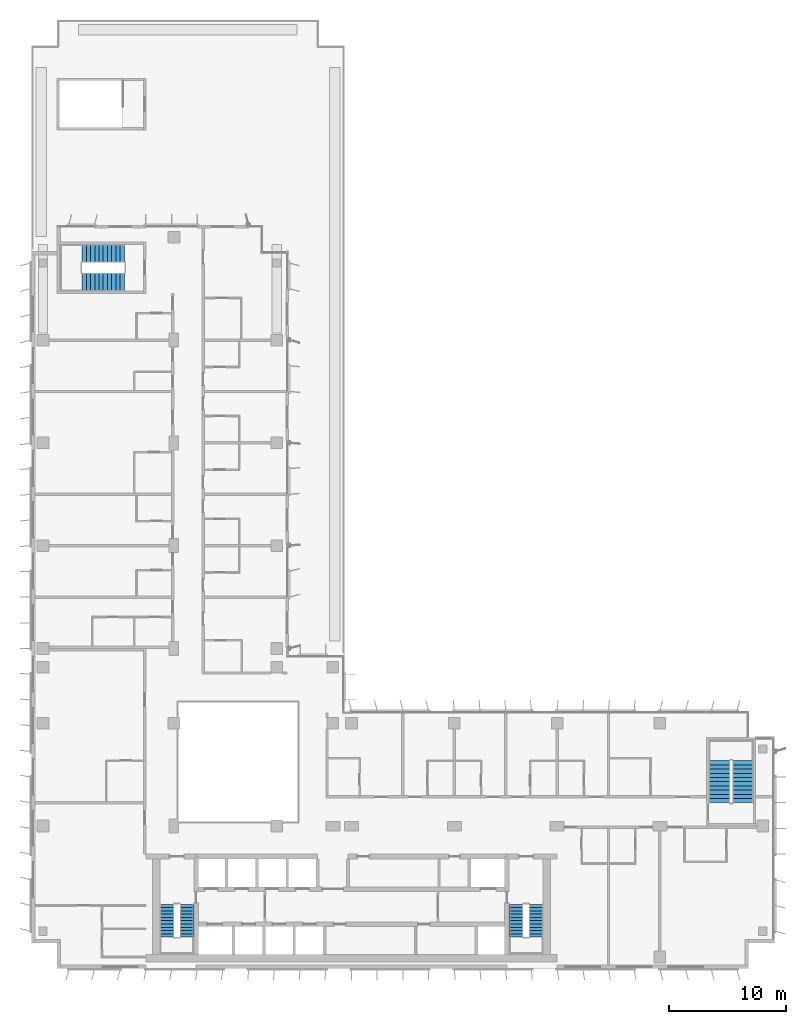
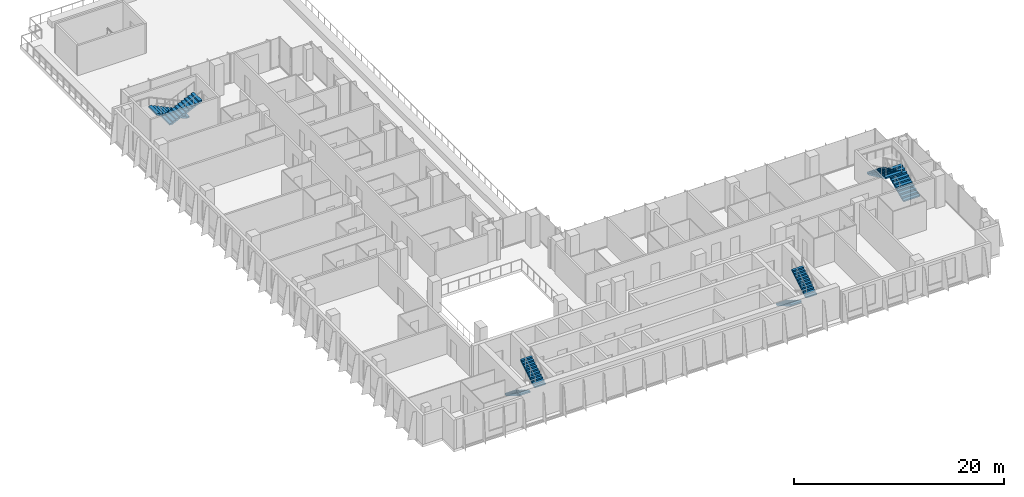
# One storey, part 18 of 22: 8 stair flights, 4 elements without a shape of their own.
"""IFC4 building model written with IfcOpenShell, lengths in metres."""

from ifc_helpers import new_model, si_unit, direction, frame, origin, place, context, subcontext, project, spatial, polyline, outline, extrude, material, type_object, element, aggregate, save


model = new_model("IFC4")

# Units and contexts
model_context = context("Model", 3, precision=1e-05, world=origin(), true_north=direction((0.0, 1.0)))
body_context = subcontext(model_context, "Body", "Model", "MODEL_VIEW")
ifc_project = project(units=[si_unit("LENGTHUNIT", "METRE"), si_unit("AREAUNIT", "SQUARE_METRE"), si_unit("VOLUMEUNIT", "CUBIC_METRE"), si_unit("PLANEANGLEUNIT", "RADIAN"), si_unit("MASSUNIT", "GRAM", prefix="KILO")], contexts=[model_context])

# Site, building, storey
site_placement = place(None, origin())
site = spatial("IfcSite", under=ifc_project, at=site_placement, CompositionType="ELEMENT")
building_placement = place(site_placement, origin())
building = spatial("IfcBuilding", under=site, at=building_placement, Name="Kemantara Hotel Tower", CompositionType="ELEMENT")
storey_placement = place(building_placement, frame((0.0, 0.0, 153.10009765625)))
storey = spatial("IfcBuildingStorey", under=building, at=storey_placement, Name="L37", CompositionType="ELEMENT", Elevation=153.10009765625)

# Stair, stair flights
ifc_material = material(Name="Concrete fc 40 MPa", Category="concrete")
stair_type_1 = type_object("IfcStairType", Name="Stair 1200 wide 22 risers of 168 x 280 mm", PredefinedType="HALF_TURN_STAIR", material=ifc_material)
stair_1_placement = place(storey_placement, origin())
stair_1 = element("IfcStair", 1, at=stair_1_placement, inside=storey, type_object=stair_type_1, Name="L37 Exit stair ST1", PredefinedType="HALF_TURN_STAIR")
stair_flight_type_1 = type_object("IfcStairFlightType", Name="Stair flight 1200 wide 168 x 280 mm", PredefinedType="STRAIGHT", material=ifc_material)
stair_flight_1_placement = place(storey_placement, frame((11.60009765625, 5.5, 0.0), z_axis=(0.0, 0.0, 1.0), x_axis=(0.0, -1.0, 0.0)))
stair_flight_1 = element("IfcStairFlight", 2, at=stair_flight_1_placement, type_object=stair_flight_type_1, Name="ST1 flight 1", NumberOfRisers=11, NumberOfTreads=10, PredefinedType="STRAIGHT", RiserHeight=0.168181818, TreadLength=0.28, context=body_context, shape_type="SweptSolid", body=[
    extrude(outline(polyline([(0.0, 0.0), (0.0, 0.168212890625), (0.280029296875, 0.168212890625), (0.280029296875, 0.33642578125), (0.56005859375, 0.33642578125), (0.56005859375, 0.504638671875), (0.840087890625, 0.504638671875), (0.840087890625, 0.672607421875), (1.1201171875, 0.672607421875), (1.1201171875, 0.8408203125), (1.39990234375, 0.8408203125), (1.39990234375, 1.009033203125), (1.679931640625, 1.009033203125), (1.679931640625, 1.17724609375), (1.9599609375, 1.17724609375), (1.9599609375, 1.345458984375), (2.239990234375, 1.345458984375), (2.239990234375, 1.513671875), (2.52001953125, 1.513671875), (2.52001953125, 1.681884765625), (2.800048828125, 1.681884765625), (2.800048828125, 1.85009765625), (2.800048828125, 1.5068359375), (0.291015625, 0.0), (0.0, 0.0)])), frame((0.0, 0.60009765625, 0.0), z_axis=(0.0, -1.0, 0.0), x_axis=(1.0, 0.0, 0.0)), (0.0, 0.0, 1.0), 1.199951171875),
])
stair_flight_2_placement = place(storey_placement, frame((13.300048828125, 2.699951171875, 1.849853515625), z_axis=(0.0, 0.0, 1.0), x_axis=(0.0, 1.0, 0.0)))
stair_flight_2 = element("IfcStairFlight", 3, at=stair_flight_2_placement, type_object=stair_flight_type_1, Name="ST1 flight 2", NumberOfRisers=11, NumberOfTreads=10, PredefinedType="STRAIGHT", RiserHeight=0.168181818, TreadLength=0.28, context=body_context, shape_type="SweptSolid", body=[
    extrude(outline(polyline([(0.0, 0.0), (0.0, 0.168212890625), (0.280029296875, 0.168212890625), (0.280029296875, 0.33642578125), (0.56005859375, 0.33642578125), (0.56005859375, 0.504638671875), (0.840087890625, 0.504638671875), (0.840087890625, 0.672607421875), (1.1201171875, 0.672607421875), (1.1201171875, 0.8408203125), (1.39990234375, 0.8408203125), (1.39990234375, 1.009033203125), (1.679931640625, 1.009033203125), (1.679931640625, 1.17724609375), (1.9599609375, 1.17724609375), (1.9599609375, 1.345458984375), (2.239990234375, 1.345458984375), (2.239990234375, 1.513671875), (2.52001953125, 1.513671875), (2.52001953125, 1.681884765625), (2.800048828125, 1.681884765625), (2.800048828125, 1.85009765625), (2.800048828125, 1.5068359375), (0.291015625, 0.0), (0.0, 0.0)])), frame((0.0, 0.60009765625, 0.0), z_axis=(0.0, -1.0, 0.0), x_axis=(1.0, 0.0, 0.0)), (0.0, 0.0, 1.0), 1.199951171875),
])
aggregate(stair_1, [stair_flight_1, stair_flight_2])

stair_2_placement = place(storey_placement, origin())
stair_2 = element("IfcStair", 4, at=stair_2_placement, inside=storey, type_object=stair_type_1, Name="L37 Exit stair ST2", PredefinedType="HALF_TURN_STAIR")
stair_flight_3_placement = place(storey_placement, frame((41.5, 5.5, 0.0), z_axis=(0.0, 0.0, 1.0), x_axis=(0.0, -1.0, 0.0)))
stair_flight_3 = element("IfcStairFlight", 5, at=stair_flight_3_placement, type_object=stair_flight_type_1, Name="ST2 flight 1", NumberOfRisers=11, NumberOfTreads=10, PredefinedType="STRAIGHT", RiserHeight=0.168181818, TreadLength=0.28, context=body_context, shape_type="SweptSolid", body=[
    extrude(outline(polyline([(0.0, 0.0), (0.0, 0.168212890625), (0.280029296875, 0.168212890625), (0.280029296875, 0.33642578125), (0.56005859375, 0.33642578125), (0.56005859375, 0.504638671875), (0.840087890625, 0.504638671875), (0.840087890625, 0.672607421875), (1.1201171875, 0.672607421875), (1.1201171875, 0.8408203125), (1.39990234375, 0.8408203125), (1.39990234375, 1.009033203125), (1.679931640625, 1.009033203125), (1.679931640625, 1.17724609375), (1.9599609375, 1.17724609375), (1.9599609375, 1.345458984375), (2.239990234375, 1.345458984375), (2.239990234375, 1.513671875), (2.52001953125, 1.513671875), (2.52001953125, 1.681884765625), (2.800048828125, 1.681884765625), (2.800048828125, 1.85009765625), (2.800048828125, 1.5068359375), (0.291015625, 0.0), (0.0, 0.0)])), frame((0.0, 0.60009765625, 0.0), z_axis=(0.0, -1.0, 0.0), x_axis=(1.0, 0.0, 0.0)), (0.0, 0.0, 1.0), 1.199951171875),
])
stair_flight_4_placement = place(storey_placement, frame((43.199951171875, 2.699951171875, 1.849853515625), z_axis=(0.0, 0.0, 1.0), x_axis=(0.0, 1.0, 0.0)))
stair_flight_4 = element("IfcStairFlight", 6, at=stair_flight_4_placement, type_object=stair_flight_type_1, Name="ST2 flight 2", NumberOfRisers=11, NumberOfTreads=10, PredefinedType="STRAIGHT", RiserHeight=0.168181818, TreadLength=0.28, context=body_context, shape_type="SweptSolid", body=[
    extrude(outline(polyline([(0.0, 0.0), (0.0, 0.168212890625), (0.280029296875, 0.168212890625), (0.280029296875, 0.33642578125), (0.56005859375, 0.33642578125), (0.56005859375, 0.504638671875), (0.840087890625, 0.504638671875), (0.840087890625, 0.672607421875), (1.1201171875, 0.672607421875), (1.1201171875, 0.8408203125), (1.39990234375, 0.8408203125), (1.39990234375, 1.009033203125), (1.679931640625, 1.009033203125), (1.679931640625, 1.17724609375), (1.9599609375, 1.17724609375), (1.9599609375, 1.345458984375), (2.239990234375, 1.345458984375), (2.239990234375, 1.513671875), (2.52001953125, 1.513671875), (2.52001953125, 1.681884765625), (2.800048828125, 1.681884765625), (2.800048828125, 1.85009765625), (2.800048828125, 1.5068359375), (0.291015625, 0.0), (0.0, 0.0)])), frame((0.0, 0.60009765625, 0.0), z_axis=(0.0, -1.0, 0.0), x_axis=(1.0, 0.0, 0.0)), (0.0, 0.0, 1.0), 1.199951171875),
])
aggregate(stair_2, [stair_flight_3, stair_flight_4])

stair_type_2 = type_object("IfcStairType", Name="Stair 1550 wide 22 risers of 168 x 360 mm", PredefinedType="HALF_TURN_STAIR", material=ifc_material)
stair_3_placement = place(storey_placement, origin())
stair_3 = element("IfcStair", 7, at=stair_3_placement, inside=storey, type_object=stair_type_2, Name="L37 Exit stair ST4", PredefinedType="HALF_TURN_STAIR")
stair_flight_type_2 = type_object("IfcStairFlightType", Name="Stair flight 1550 wide 168 x 360 mm", PredefinedType="STRAIGHT", material=ifc_material)
stair_flight_5_placement = place(storey_placement, frame((7.949951171875, 61.22509765625, 0.0), z_axis=(0.0, 0.0, 1.0), x_axis=(-1.0, 0.0, 0.0)))
stair_flight_5 = element("IfcStairFlight", 8, at=stair_flight_5_placement, type_object=stair_flight_type_2, Name="ST4 flight 1", NumberOfRisers=11, NumberOfTreads=10, PredefinedType="STRAIGHT", RiserHeight=0.168181818, TreadLength=0.36, context=body_context, shape_type="SweptSolid", body=[
    extrude(outline(polyline([(0.0, 0.0), (0.0, 0.168212890625), (0.360107421875, 0.168212890625), (0.360107421875, 0.33642578125), (0.719970703125, 0.33642578125), (0.719970703125, 0.504638671875), (1.080078125, 0.504638671875), (1.080078125, 0.672607421875), (1.43994140625, 0.672607421875), (1.43994140625, 0.8408203125), (1.800048828125, 0.8408203125), (1.800048828125, 1.009033203125), (2.159912109375, 1.009033203125), (2.159912109375, 1.17724609375), (2.52001953125, 1.17724609375), (2.52001953125, 1.345458984375), (2.8798828125, 1.345458984375), (2.8798828125, 1.513671875), (3.239990234375, 1.513671875), (3.239990234375, 1.681884765625), (3.60009765625, 1.681884765625), (3.60009765625, 1.85009765625), (3.60009765625, 1.516357421875), (0.354248046875, 0.0), (0.0, 0.0)])), frame((0.0, 0.77490234375, 0.0), z_axis=(0.0, -1.0, 0.0), x_axis=(1.0, 0.0, 0.0)), (0.0, 0.0, 1.0), 1.550048828125),
])
stair_flight_6_placement = place(storey_placement, frame((4.35009765625, 58.77490234375, 1.849853515625), z_axis=(0.0, 0.0, 1.0), x_axis=(1.0, 0.0, 0.0)))
stair_flight_6 = element("IfcStairFlight", 9, at=stair_flight_6_placement, type_object=stair_flight_type_2, Name="ST4 flight 2", NumberOfRisers=11, NumberOfTreads=10, PredefinedType="STRAIGHT", RiserHeight=0.168181818, TreadLength=0.36, context=body_context, shape_type="SweptSolid", body=[
    extrude(outline(polyline([(0.0, 0.0), (0.0, 0.168212890625), (0.360107421875, 0.168212890625), (0.360107421875, 0.33642578125), (0.719970703125, 0.33642578125), (0.719970703125, 0.504638671875), (1.080078125, 0.504638671875), (1.080078125, 0.672607421875), (1.43994140625, 0.672607421875), (1.43994140625, 0.8408203125), (1.800048828125, 0.8408203125), (1.800048828125, 1.009033203125), (2.159912109375, 1.009033203125), (2.159912109375, 1.17724609375), (2.52001953125, 1.17724609375), (2.52001953125, 1.345458984375), (2.8798828125, 1.345458984375), (2.8798828125, 1.513671875), (3.239990234375, 1.513671875), (3.239990234375, 1.681884765625), (3.60009765625, 1.681884765625), (3.60009765625, 1.85009765625), (3.60009765625, 1.516357421875), (0.354248046875, 0.0), (0.0, 0.0)])), frame((0.0, 0.77490234375, 0.0), z_axis=(0.0, -1.0, 0.0), x_axis=(1.0, 0.0, 0.0)), (0.0, 0.0, 1.0), 1.550048828125),
])
aggregate(stair_3, [stair_flight_5, stair_flight_6])

stair_type_3 = type_object("IfcStairType", Name="Stair 1800 wide 22 risers of 168 x 360 mm", PredefinedType="HALF_TURN_STAIR", material=ifc_material)
stair_4_placement = place(storey_placement, origin())
stair_4 = element("IfcStair", 10, at=stair_4_placement, inside=storey, type_object=stair_type_3, Name="L37 Exit stair ST3", PredefinedType="HALF_TURN_STAIR")
stair_flight_type_3 = type_object("IfcStairFlightType", Name="Stair flight 1800 wide 168 x 360 mm", PredefinedType="STRAIGHT", material=ifc_material)
stair_flight_7_placement = place(storey_placement, frame((60.89990234375, 14.199951171875, 0.0), z_axis=(0.0, 0.0, 1.0), x_axis=(0.0, 1.0, 0.0)))
stair_flight_7 = element("IfcStairFlight", 11, at=stair_flight_7_placement, type_object=stair_flight_type_3, Name="ST3 flight 1", NumberOfRisers=11, NumberOfTreads=10, PredefinedType="STRAIGHT", RiserHeight=0.168181818, TreadLength=0.36, context=body_context, shape_type="SweptSolid", body=[
    extrude(outline(polyline([(0.0, 0.0), (0.0, 0.168212890625), (0.360107421875, 0.168212890625), (0.360107421875, 0.33642578125), (0.719970703125, 0.33642578125), (0.719970703125, 0.504638671875), (1.080078125, 0.504638671875), (1.080078125, 0.672607421875), (1.43994140625, 0.672607421875), (1.43994140625, 0.8408203125), (1.800048828125, 0.8408203125), (1.800048828125, 1.009033203125), (2.159912109375, 1.009033203125), (2.159912109375, 1.17724609375), (2.52001953125, 1.17724609375), (2.52001953125, 1.345458984375), (2.8798828125, 1.345458984375), (2.8798828125, 1.513671875), (3.239990234375, 1.513671875), (3.239990234375, 1.681884765625), (3.60009765625, 1.681884765625), (3.60009765625, 1.85009765625), (3.60009765625, 1.516357421875), (0.354248046875, 0.0), (0.0, 0.0)])), frame((0.0, 0.89990234375, 0.0), z_axis=(0.0, -1.0, 0.0), x_axis=(1.0, 0.0, 0.0)), (0.0, 0.0, 1.0), 1.800048828125),
])
stair_flight_8_placement = place(storey_placement, frame((58.89990234375, 17.800048828125, 1.849853515625), z_axis=(0.0, 0.0, 1.0), x_axis=(0.0, -1.0, 0.0)))
stair_flight_8 = element("IfcStairFlight", 12, at=stair_flight_8_placement, type_object=stair_flight_type_3, Name="ST3 flight 2", NumberOfRisers=11, NumberOfTreads=10, PredefinedType="STRAIGHT", RiserHeight=0.168181818, TreadLength=0.36, context=body_context, shape_type="SweptSolid", body=[
    extrude(outline(polyline([(0.0, 0.0), (0.0, 0.168212890625), (0.360107421875, 0.168212890625), (0.360107421875, 0.33642578125), (0.719970703125, 0.33642578125), (0.719970703125, 0.504638671875), (1.080078125, 0.504638671875), (1.080078125, 0.672607421875), (1.43994140625, 0.672607421875), (1.43994140625, 0.8408203125), (1.800048828125, 0.8408203125), (1.800048828125, 1.009033203125), (2.159912109375, 1.009033203125), (2.159912109375, 1.17724609375), (2.52001953125, 1.17724609375), (2.52001953125, 1.345458984375), (2.8798828125, 1.345458984375), (2.8798828125, 1.513671875), (3.239990234375, 1.513671875), (3.239990234375, 1.681884765625), (3.60009765625, 1.681884765625), (3.60009765625, 1.85009765625), (3.60009765625, 1.516357421875), (0.354248046875, 0.0), (0.0, 0.0)])), frame((0.0, 0.89990234375, 0.0), z_axis=(0.0, -1.0, 0.0), x_axis=(1.0, 0.0, 0.0)), (0.0, 0.0, 1.0), 1.800048828125),
])
aggregate(stair_4, [stair_flight_7, stair_flight_8])

save(model, "model.ifc")
